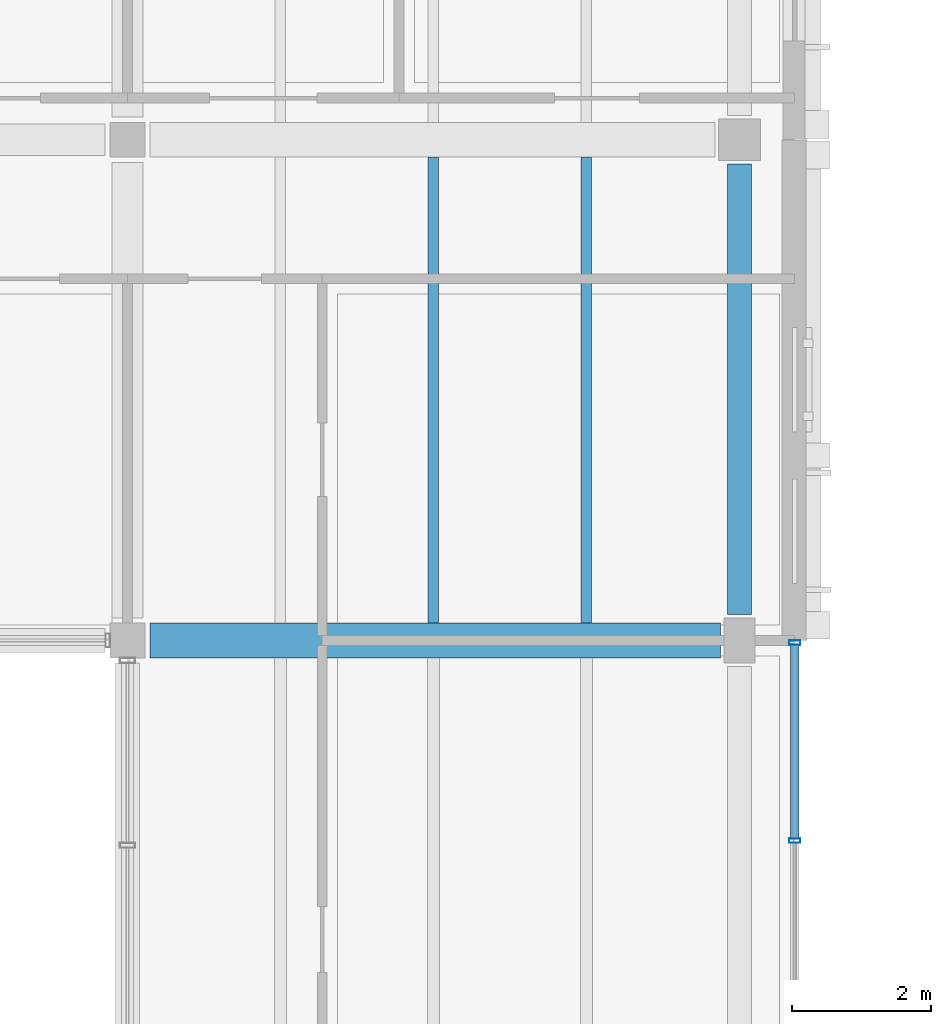
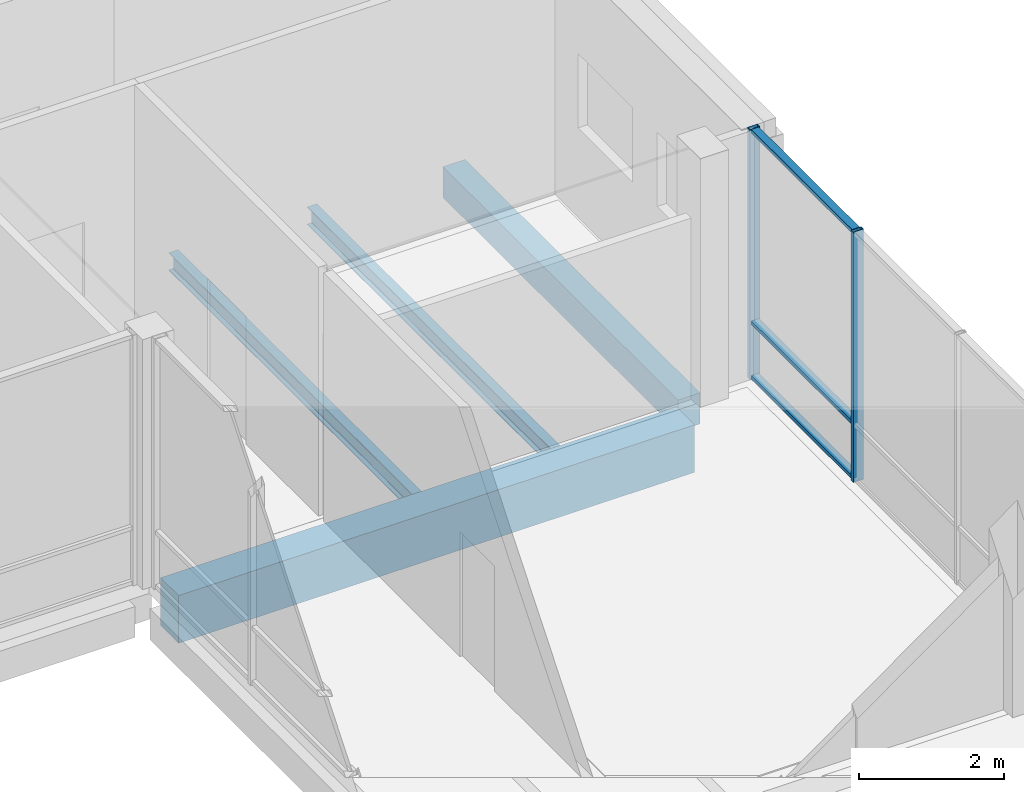
# One storey, part 58 of 104: 5 members, 4 beams, 1 element without a shape of its own.
"""IFC4 building model written with IfcOpenShell, lengths in metres."""

from ifc_helpers import new_model, si_unit, direction, frame, origin, origin_2d, place, context, subcontext, project, spatial, rectangle, hollow_rectangle, i_section, extrude, material, material_profile, profile_set, type_object, element, aggregate, save


model = new_model("IFC4")

# Units and contexts
model_context = context("Model", 3, precision=1e-05, world=origin(), true_north=direction((0.0, 1.0)))
body_context = subcontext(model_context, "Body", "Model", "MODEL_VIEW")
ifc_project = project(units=[si_unit("LENGTHUNIT", "METRE"), si_unit("AREAUNIT", "SQUARE_METRE"), si_unit("VOLUMEUNIT", "CUBIC_METRE"), si_unit("PLANEANGLEUNIT", "RADIAN"), si_unit("MASSUNIT", "GRAM", prefix="KILO")], contexts=[model_context])

# Site, building, storey
site_placement = place(None, origin())
site = spatial("IfcSite", under=ifc_project, at=site_placement, CompositionType="ELEMENT")
building_placement = place(site_placement, origin())
building = spatial("IfcBuilding", under=site, at=building_placement, Name="Hawrajan Terrace Health Centre", CompositionType="ELEMENT")
storey_placement = place(building_placement, origin())
storey = spatial("IfcBuildingStorey", under=building, at=storey_placement, Name="L00", CompositionType="ELEMENT", Elevation=0.0)

# Curtain wall, members
ifc_material_1 = material(Name="Anodized bronze aluminium and low-E solar glazing", Category="aluminium")
curtain_wall_type = type_object("IfcCurtainWallType", Name="CW_CourtNS_SeriesC3", PredefinedType="USERDEFINED", material=ifc_material_1)
curtain_wall_placement = place(storey_placement, origin())
curtain_wall = element("IfcCurtainWall", 1, at=curtain_wall_placement, inside=storey, type_object=curtain_wall_type, Name="Curtain wall CW-L00-033", ObjectType="UNITISED CURTAIN WALL", PredefinedType="USERDEFINED")
ifc_material_2 = material(Name="Anodized bronze aluminium 6063-T6", Category="aluminium")
ifc_material_profile_1 = material_profile(ifc_material_2, hollow_rectangle(XDim=0.06494140625, YDim=0.159912109375, WallThickness=0.00390625, at=origin_2d()), Name="CW MUL 65x160")
ifc_profile_set_1 = profile_set([ifc_material_profile_1], Name="Anodized bronze aluminium 6063-T6")
member_type_1 = type_object("IfcMemberType", Name="CWMullion_65x160", PredefinedType="MULLION", material=ifc_profile_set_1)
member_1_placement = place(storey_placement, frame((71.794921875, 42.5224609375, -0.0048828125), z_axis=(0.0, 0.0, 1.0), x_axis=(0.0, 1.0, 0.0)))
member_1 = element("IfcMember", 2, at=member_1_placement, type_object=member_type_1, Name="Mullion CW-L00-033-M3", PredefinedType="MULLION", context=body_context, shape_type="SweptSolid", body=[
    extrude(hollow_rectangle(XDim=0.06494140625, YDim=0.159912109375, WallThickness=0.00390625, at=origin_2d()), origin(), (0.0, 0.0, 1.0), 4.2099609375),
])
member_2_placement = place(storey_placement, frame((71.794921875, 45.367431640625, -0.0048828125), z_axis=(0.0, 0.0, 1.0), x_axis=(0.0, 1.0, 0.0)))
member_2 = element("IfcMember", 3, at=member_2_placement, type_object=member_type_1, Name="Mullion CW-L00-033-M4", PredefinedType="MULLION", context=body_context, shape_type="SweptSolid", body=[
    extrude(hollow_rectangle(XDim=0.06494140625, YDim=0.159912109375, WallThickness=0.00390625, at=origin_2d()), origin(), (0.0, 0.0, 1.0), 4.2099609375),
])
ifc_material_profile_2 = material_profile(ifc_material_2, hollow_rectangle(XDim=0.06494140625, YDim=0.1201171875, WallThickness=0.00341796875, at=origin_2d()), Name="CW TRN 65x120")
ifc_profile_set_2 = profile_set([ifc_material_profile_2], Name="Anodized bronze aluminium 6063-T6")
member_type_2 = type_object("IfcMemberType", Name="CWTransom_65x120", PredefinedType="USERDEFINED", material=ifc_profile_set_2)
member_3_placement = place(storey_placement, frame((71.794921875, 42.549072265625, 0.032470703125), z_axis=(0.0, 1.0, 0.0), x_axis=(0.0, 0.0, 1.0)))
member_3 = element("IfcMember", 4, at=member_3_placement, type_object=member_type_2, Name="Transom CW-L00-033-T3-1", ObjectType="TRANSOM", PredefinedType="USERDEFINED", context=body_context, shape_type="SweptSolid", body=[
    extrude(hollow_rectangle(XDim=0.06494140625, YDim=0.1201171875, WallThickness=0.00341796875, at=origin_2d()), origin(), (0.0, 0.0, 1.0), 2.7919921875),
])
member_4_placement = place(storey_placement, frame((71.794921875, 42.549072265625, 0.949951171875), z_axis=(0.0, 1.0, 0.0), x_axis=(0.0, 0.0, 1.0)))
member_4 = element("IfcMember", 5, at=member_4_placement, type_object=member_type_2, Name="Transom CW-L00-033-T3-2", ObjectType="TRANSOM", PredefinedType="USERDEFINED", context=body_context, shape_type="SweptSolid", body=[
    extrude(hollow_rectangle(XDim=0.06494140625, YDim=0.1201171875, WallThickness=0.00341796875, at=origin_2d()), origin(), (0.0, 0.0, 1.0), 2.7919921875),
])
member_5_placement = place(storey_placement, frame((71.794921875, 42.549072265625, 4.16748046875), z_axis=(0.0, 1.0, 0.0), x_axis=(0.0, 0.0, 1.0)))
member_5 = element("IfcMember", 6, at=member_5_placement, type_object=member_type_2, Name="Transom CW-L00-033-T3-3", ObjectType="TRANSOM", PredefinedType="USERDEFINED", context=body_context, shape_type="SweptSolid", body=[
    extrude(hollow_rectangle(XDim=0.06494140625, YDim=0.1201171875, WallThickness=0.00341796875, at=origin_2d()), origin(), (0.0, 0.0, 1.0), 2.7919921875),
])
aggregate(curtain_wall, [member_1, member_2, member_3, member_4, member_5])

# Beams
ifc_material_3 = material(Name="Concrete C40/50", Category="concrete")
ifc_material_profile_3 = material_profile(ifc_material_3, rectangle(XDim=0.5, YDim=0.800048828125, at=origin_2d()), Name="RC BM 500x800")
ifc_profile_set_3 = profile_set([ifc_material_profile_3], Name="Concrete C40/50")
beam_type_1 = type_object("IfcBeamType", Name="RCGirder_500x800", PredefinedType="BEAM", material=ifc_profile_set_3)
beam_1_placement = place(storey_placement, frame((62.52490234375, 45.39990234375, -0.699951171875), z_axis=(1.0, 0.0, 0.0), x_axis=(0.0, 1.0, 0.0)))
element("IfcBeam", 7, at=beam_1_placement, inside=storey, type_object=beam_type_1, Name="Beam BM-X-L00-W-09-Y6", PredefinedType="BEAM", context=body_context, shape_type="SweptSolid", body=[
    extrude(rectangle(XDim=0.5, YDim=0.800048828125, at=origin_2d()), origin(), (0.0, 0.0, 1.0), 8.2001953125),
])
ifc_material_profile_4 = material_profile(ifc_material_3, rectangle(XDim=0.35009765625, YDim=0.52001953125, at=origin_2d()), Name="RC SP 350x520")
ifc_profile_set_4 = profile_set([ifc_material_profile_4], Name="Concrete C40/50")
beam_type_2 = type_object("IfcBeamType", Name="RCSpandrel_350x520", PredefinedType="SPANDREL", material=ifc_profile_set_4)
beam_2_placement = place(storey_placement, frame((71.0, 45.77490234375, -0.56005859375), z_axis=(0.0, 1.0, 0.0), x_axis=(-1.0, 0.0, 0.0)))
element("IfcBeam", 8, at=beam_2_placement, inside=storey, type_object=beam_type_2, Name="Beam BM-Y-L00-W-X10-6", PredefinedType="SPANDREL", context=body_context, shape_type="SweptSolid", body=[
    extrude(rectangle(XDim=0.35009765625, YDim=0.52001953125, at=origin_2d()), origin(), (0.0, 0.0, 1.0), 6.47509765625),
])
ifc_material_4 = material(Name="Steel S355", Category="steel")
ifc_material_profile_5 = material_profile(ifc_material_4, i_section(OverallWidth=0.14990234375, OverallDepth=0.300048828125, WebThickness=0.007080078125, FlangeThickness=0.0107421875, FilletRadius=0.014892578125, at=origin_2d()), Name="IPE 300")
ifc_profile_set_5 = profile_set([ifc_material_profile_5], Name="Steel S355")
beam_type_3 = type_object("IfcBeamType", Name="SteelBeam_IPE300", PredefinedType="JOIST", material=ifc_profile_set_5)
for number, where, z_axis, x_axis, name in (
    (9, (66.60009765625, 45.64990234375, -0.449951171875), (0.0, 1.0, 0.0), (-1.0, 0.0, 0.0), "Secondary joist JST-L00-W-09-6-2"),
    (10, (68.800048828125, 45.64990234375, -0.449951171875), (0.0, 1.0, 0.0), (-1.0, 0.0, 0.0), "Secondary joist JST-L00-W-09-6-3"),
):
    element("IfcBeam", number, at=place(storey_placement, frame(where, z_axis=z_axis, x_axis=x_axis)), inside=storey, type_object=beam_type_3, Name=name, PredefinedType="JOIST", context=body_context, shape_type="SweptSolid", body=[
        extrude(i_section(OverallWidth=0.14990234375, OverallDepth=0.300048828125, WebThickness=0.007080078125, FlangeThickness=0.0107421875, FilletRadius=0.014892578125, at=origin_2d()), origin(), (0.0, 0.0, 1.0), 6.7001953125),
    ])

save(model, "model.ifc")
